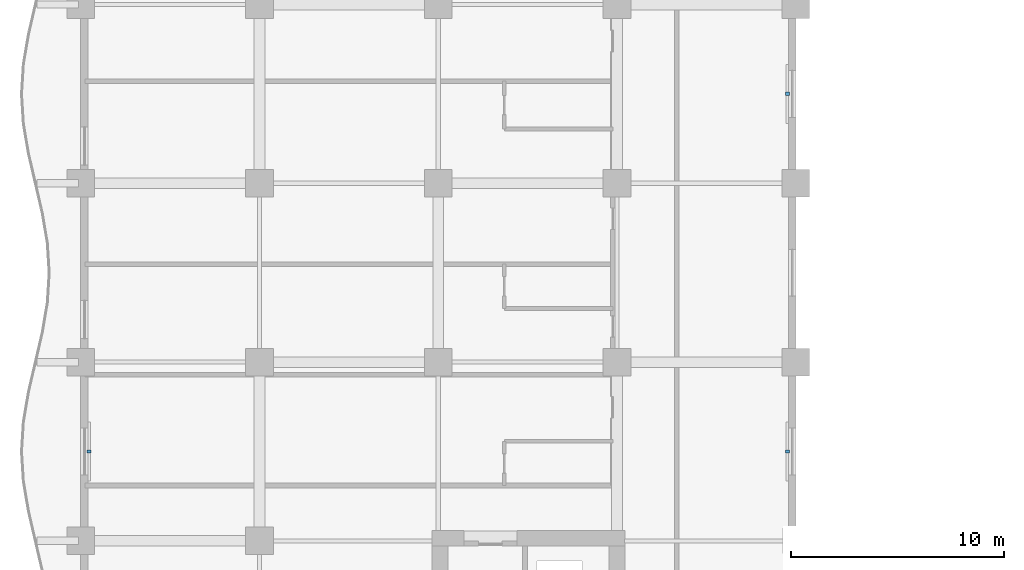
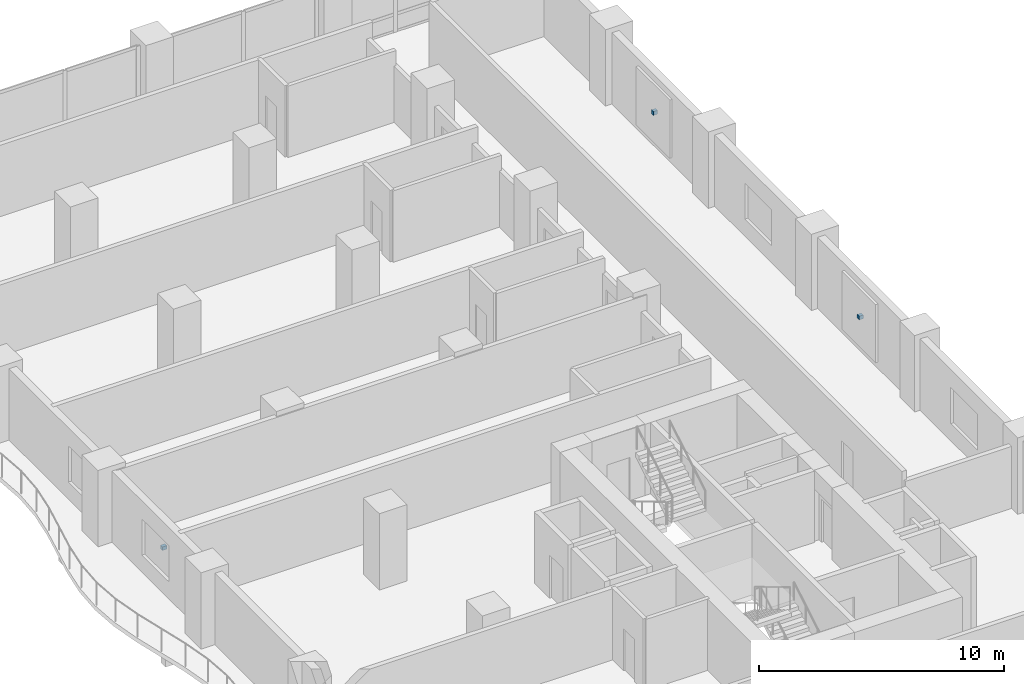
# One storey, part 16 of 20: 3 discrete accessories.
"""IFC4 building model written with IfcOpenShell, lengths in metres."""

from ifc_helpers import new_model, si_unit, direction, frame, origin, origin_2d, place, context, subcontext, project, spatial, rectangle, extrude, material, type_object, element, save


model = new_model("IFC4")

# Units and contexts
model_context = context("Model", 3, precision=1e-05, world=origin(), true_north=direction((0.0, 1.0)))
body_context = subcontext(model_context, "Body", "Model", "MODEL_VIEW")
ifc_project = project(units=[si_unit("LENGTHUNIT", "METRE"), si_unit("AREAUNIT", "SQUARE_METRE"), si_unit("VOLUMEUNIT", "CUBIC_METRE"), si_unit("PLANEANGLEUNIT", "RADIAN"), si_unit("MASSUNIT", "GRAM", prefix="KILO")], contexts=[model_context])

# Site, building, storey
site_placement = place(None, origin())
site = spatial("IfcSite", under=ifc_project, at=site_placement, CompositionType="ELEMENT")
building_placement = place(site_placement, origin())
building = spatial("IfcBuilding", under=site, at=building_placement, Name="Koriwani Terraces Tower", CompositionType="ELEMENT")
storey_placement = place(building_placement, frame((0.0, 0.0, 126.60009765625)))
storey = spatial("IfcBuildingStorey", under=building, at=storey_placement, Name="L30", CompositionType="ELEMENT", Elevation=126.60009765625)

# Discrete accessories
ifc_material = material(Name="Steel ASTM A572 Grade 50", Category="steel")
discrete_accessory_type = type_object("IfcDiscreteAccessoryType", Name="BAGUETTE_STANDOFF_BRACKET", PredefinedType="BRACKET", material=ifc_material)
for number, where, z_axis, x_axis, name in (
    (1, (0.389892578125, 63.0, 1.68505859375), (0.0, 0.0, 1.0), (0.0, 1.0, 0.0), "L30 Terracotta Baguette Bracket (W-21)"),
    (2, (33.2099609375, 63.0, 1.68505859375), (0.0, 0.0, 1.0), (0.0, -1.0, 0.0), "L30 Terracotta Baguette Bracket (NW_IN-11)"),
    (3, (33.2099609375, 79.800048828125, 1.68505859375), (0.0, 0.0, 1.0), (0.0, -1.0, 0.0), "L30 Terracotta Baguette Bracket (NW_IN-17)"),
):
    element("IfcDiscreteAccessory", number, at=place(storey_placement, frame(where, z_axis=z_axis, x_axis=x_axis)), inside=storey, type_object=discrete_accessory_type, Name=name, PredefinedType="BRACKET", context=body_context, shape_type="SweptSolid", body=[
        extrude(rectangle(XDim=0.159912109375, YDim=0.199951171875, at=origin_2d()), origin(), (0.0, 0.0, 1.0), 0.179931640625),
    ])

save(model, "model.ifc")
